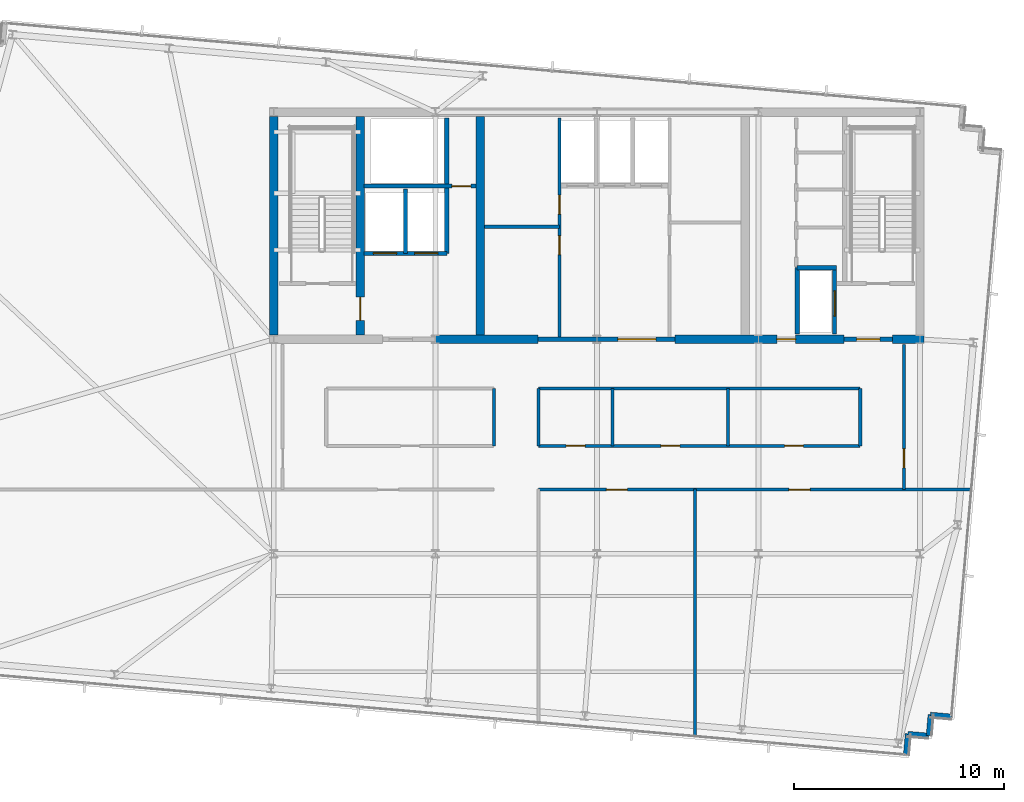
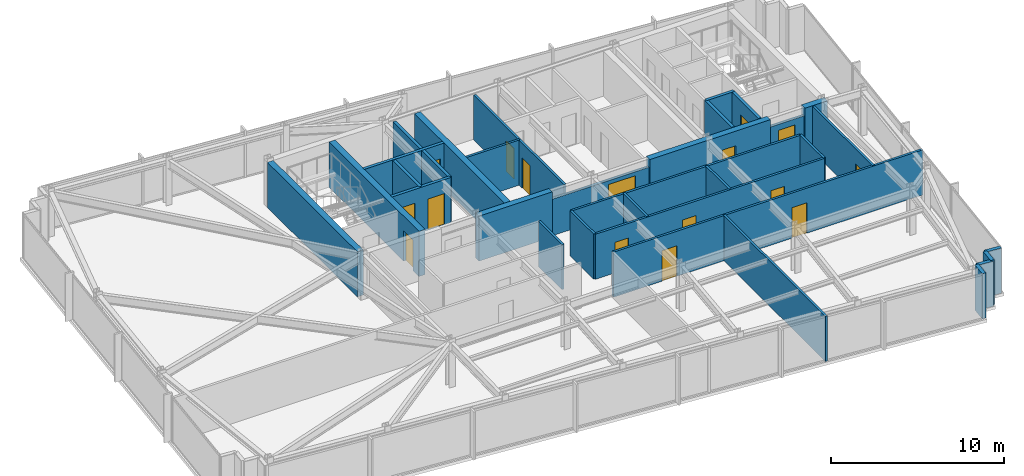
# One storey, part 27 of 32: 31 walls, 16 doors, 16 openings.
"""IFC4 building model written with IfcOpenShell, lengths in metres."""

from ifc_helpers import new_model, si_unit, direction, frame, frame_2d, origin, place, context, subcontext, project, spatial, rectangle, extrude, material, layer, layer_set, type_object, element, fill, save


model = new_model("IFC4")

# Units and contexts
model_context = context("Model", 3, precision=1e-05, world=origin(), true_north=direction((0.0, 1.0)))
body_context = subcontext(model_context, "Body", "Model", "MODEL_VIEW")
ifc_project = project(units=[si_unit("LENGTHUNIT", "METRE"), si_unit("AREAUNIT", "SQUARE_METRE"), si_unit("VOLUMEUNIT", "CUBIC_METRE"), si_unit("PLANEANGLEUNIT", "RADIAN"), si_unit("MASSUNIT", "GRAM", prefix="KILO")], contexts=[model_context])

# Site, building, storey
site_placement = place(None, origin())
site = spatial("IfcSite", under=ifc_project, at=site_placement, CompositionType="ELEMENT")
building_placement = place(site_placement, origin())
building = spatial("IfcBuilding", under=site, at=building_placement, Name="Yelkora Congress Tower", CompositionType="ELEMENT")
storey_placement = place(building_placement, frame((0.0, 0.0, 269.300048828125)))
storey = spatial("IfcBuildingStorey", under=building, at=storey_placement, Name="L75", CompositionType="ELEMENT", Elevation=269.300048828125)

# Wall
ifc_material_1 = material(Name="Concrete C50/60", Category="concrete")
ifc_layer_1 = layer(ifc_material_1, 0.39990234375)
ifc_layer_set_1 = layer_set([ifc_layer_1], Name="Concrete C50/60")
wall_type_1 = type_object("IfcWallType", Name="WALL-CORE-INT-400", PredefinedType="SHEAR", material=ifc_layer_set_1)
wall_1_placement = place(storey_placement, frame((30.719970703125, 35.39990234375, 0.0), z_axis=(0.0, 0.0, 1.0), x_axis=(1.0, 0.0, 0.0)))
element("IfcWall", 1, at=wall_1_placement, inside=storey, type_object=wall_type_1, Name="L75 Rear Core South-Center Shear Pier", PredefinedType="SHEAR", context=body_context, shape_type="SweptSolid", body=[
    extrude(rectangle(XDim=4.880126953125, YDim=0.39990234375, at=frame_2d((2.43994140625, 0.0))), origin(), (0.0, 0.0, 1.0), 3.179931640625),
])

# Wall, opening, door
wall_2_placement = place(storey_placement, frame((42.10009765625, 35.39990234375, 0.0), z_axis=(0.0, 0.0, 1.0), x_axis=(1.0, 0.0, 0.0)))
wall_2 = element("IfcWall", 2, at=wall_2_placement, inside=storey, type_object=wall_type_1, Name="L75 Rear Core South-East Shear Wall A", PredefinedType="SHEAR", context=body_context, shape_type="SweptSolid", body=[
    extrude(rectangle(XDim=8.0498046875, YDim=0.39990234375, at=frame_2d((4.02490234375, 0.0))), origin(), (0.0, 0.0, 1.0), 3.179931640625),
])
opening_1_placement = place(wall_2_placement, frame((4.85009765625, 0.0, 0.0)))
opening_1 = element("IfcOpeningElement", 3, at=opening_1_placement, cuts=wall_2, Name="Opening DR-090F6", PredefinedType="OPENING", context=body_context, shape_type="SweptSolid", body=[
    extrude(rectangle(XDim=0.89990234375, YDim=2.14990234375, at=frame_2d((0.449951171875, 1.074951171875))), frame((0.0, 0.2099609375, 0.0), z_axis=(0.0, -1.0, 0.0), x_axis=(1.0, 0.0, 0.0)), (0.0, 0.0, 1.0), 0.419921875),
])
ifc_material_2 = material(Name="Painted steel riser fire door leaf", Category="steel")
door_type_1 = type_object("IfcDoorType", Name="DOOR-FD60-900", OperationType="NOTDEFINED", PredefinedType="DOOR", material=ifc_material_2)
door_1_placement = place(opening_1_placement, origin())
door_1 = element("IfcDoor", 4, at=door_1_placement, inside=storey, type_object=door_type_1, Name="L75 Core Washroom Lobby Door", OperationType="SINGLE_SWING_RIGHT", OverallHeight=2.14990234375, OverallWidth=0.89990234375, PredefinedType="DOOR", context=body_context, shape_type="SweptSolid", body=[
    extrude(rectangle(XDim=0.89990234375, YDim=2.14990234375, at=frame_2d((0.449951171875, 1.074951171875))), frame((0.0, 0.02490234375, 0.0), z_axis=(0.0, -1.0, 0.0), x_axis=(1.0, 0.0, 0.0)), (0.0, 0.0, 1.0), 0.050048828125),
])
fill(opening_1, door_1)

# Walls
wall_3_placement = place(storey_placement, frame((52.449951171875, 35.39990234375, 0.0), z_axis=(0.0, 0.0, 1.0), x_axis=(1.0, 0.0, 0.0)))
element("IfcWall", 5, at=wall_3_placement, inside=storey, type_object=wall_type_1, Name="L75 Rear Core South-East Shear Wall B", PredefinedType="SHEAR", context=body_context, shape_type="SweptSolid", body=[
    extrude(rectangle(XDim=1.510009765625, YDim=0.39990234375, at=frame_2d((0.7548828125, 0.0))), origin(), (0.0, 0.0, 1.0), 3.179931640625),
])
wall_4_placement = place(storey_placement, frame((23.0400390625, 35.60009765625, 0.0), z_axis=(0.0, 0.0, 1.0), x_axis=(0.0, 1.0, 0.0)))
element("IfcWall", 6, at=wall_4_placement, inside=storey, type_object=wall_type_1, Name="L75 Rear Core Cross Shear Wall W", PredefinedType="SHEAR", context=body_context, shape_type="SweptSolid", body=[
    extrude(rectangle(XDim=10.39990234375, YDim=0.39990234375, at=frame_2d((5.199951171875, 0.0))), origin(), (0.0, 0.0, 1.0), 3.179931640625),
])

# Wall, opening, door
wall_5_placement = place(storey_placement, frame((27.14990234375, 35.60009765625, 0.0), z_axis=(0.0, 0.0, 1.0), x_axis=(0.0, 1.0, 0.0)))
wall_5 = element("IfcWall", 7, at=wall_5_placement, inside=storey, type_object=wall_type_1, Name="L75 Rear Core Cross Shear Wall C1", PredefinedType="SHEAR", context=body_context, shape_type="SweptSolid", body=[
    extrude(rectangle(XDim=10.39990234375, YDim=0.39990234375, at=frame_2d((5.199951171875, 0.0))), origin(), (0.0, 0.0, 1.0), 3.179931640625),
])
opening_2_placement = place(wall_5_placement, frame((0.699951171875, 0.0, 0.0)))
opening_2 = element("IfcOpeningElement", 8, at=opening_2_placement, cuts=wall_5, Name="Opening DR-110F9", PredefinedType="OPENING", context=body_context, shape_type="SweptSolid", body=[
    extrude(rectangle(XDim=1.10009765625, YDim=2.14990234375, at=frame_2d((0.550048828125, 1.074951171875))), frame((0.0, 0.2099609375, 0.0), z_axis=(0.0, -1.0, 0.0), x_axis=(1.0, 0.0, 0.0)), (0.0, 0.0, 1.0), 0.419921875),
])
ifc_material_3 = material(Name="Galvanised steel fire door leaf", Category="steel")
door_type_2 = type_object("IfcDoorType", Name="DOOR-FD90-1100", OperationType="NOTDEFINED", PredefinedType="DOOR", material=ifc_material_3)
door_2_placement = place(opening_2_placement, origin())
door_2 = element("IfcDoor", 9, at=door_2_placement, inside=storey, type_object=door_type_2, Name="L75 Firefighting Stair Transfer Door", OperationType="SINGLE_SWING_LEFT", OverallHeight=2.14990234375, OverallWidth=1.10009765625, PredefinedType="DOOR", context=body_context, shape_type="SweptSolid", body=[
    extrude(rectangle(XDim=1.10009765625, YDim=2.14990234375, at=frame_2d((0.550048828125, 1.074951171875))), frame((0.0, 0.02490234375, 0.0), z_axis=(0.0, -1.0, 0.0), x_axis=(1.0, 0.0, 0.0)), (0.0, 0.0, 1.0), 0.050048828125),
])
fill(opening_2, door_2)

# Walls
wall_6_placement = place(storey_placement, frame((32.85009765625, 35.60009765625, 0.0), z_axis=(0.0, 0.0, 1.0), x_axis=(0.0, 1.0, 0.0)))
element("IfcWall", 10, at=wall_6_placement, inside=storey, type_object=wall_type_1, Name="L75 Rear Core Cross Shear Wall C2", PredefinedType="SHEAR", context=body_context, shape_type="SweptSolid", body=[
    extrude(rectangle(XDim=10.39990234375, YDim=0.39990234375, at=frame_2d((5.199951171875, 0.0))), origin(), (0.0, 0.0, 1.0), 3.179931640625),
])
ifc_material_4 = material(Name="Concrete C40/50", Category="concrete")
ifc_layer_2 = layer(ifc_material_4, 0.239990234375)
ifc_layer_set_2 = layer_set([ifc_layer_2], Name="Concrete C40/50")
wall_type_2 = type_object("IfcWallType", Name="WALL-EXT-LIMESTONE-240", PredefinedType="SOLIDWALL", material=ifc_layer_set_2)
for number, where, z_axis, x_axis, name in (
    (11, (55.2578125, 17.458740234375, 0.0), (0.0, 0.0, 1.0), (-0.996193717496, 0.087166950281, 0.0), "L75 Serrated Corner Limestone Pier 16"),
    (12, (54.26171875, 17.5458984375, 0.0), (0.0, 0.0, 1.0), (-0.087166950281, -0.996193717496, 0.0), "L75 Serrated Corner Limestone Pier 17"),
):
    element("IfcWall", number, at=place(storey_placement, frame(where, z_axis=z_axis, x_axis=x_axis)), inside=storey, type_object=wall_type_2, Name=name, PredefinedType="SOLIDWALL", context=body_context, shape_type="SweptSolid", body=[
        extrude(rectangle(XDim=1.0, YDim=0.239990234375, at=frame_2d((0.5, 0.0))), origin(), (0.0, 0.0, 1.0), 3.179931640625),
    ])
for number, where, z_axis, x_axis, name in (
    (13, (54.174560546875, 16.5498046875, 0.0), (0.0, 0.0, 1.0), (-0.996195572005, 0.087145753297, 0.0), "L75 Serrated Corner Limestone Pier 18"),
    (14, (53.17822265625, 16.636962890625, 0.0), (0.0, 0.0, 1.0), (-0.087145753297, -0.996195572005, 0.0), "L75 Serrated Corner Limestone Pier 19"),
):
    element("IfcWall", number, at=place(storey_placement, frame(where, z_axis=z_axis, x_axis=x_axis)), inside=storey, type_object=wall_type_2, Name=name, PredefinedType="SOLIDWALL", context=body_context, shape_type="SweptSolid", body=[
        extrude(rectangle(XDim=1.000244140625, YDim=0.239990234375, at=frame_2d((0.5, 0.0))), origin(), (0.0, 0.0, 1.0), 3.179931640625),
    ])
ifc_material_5 = material(Name="Acoustic metal-stud gypsum partition", Category="gypsum")
ifc_layer_3 = layer(ifc_material_5, 0.14990234375)
ifc_layer_set_3 = layer_set([ifc_layer_3], Name="Acoustic metal-stud gypsum partition")
wall_type_3 = type_object("IfcWallType", Name="WALL-INT-150-NR", PredefinedType="PARTITIONING", material=ifc_layer_set_3)
wall_7_placement = place(storey_placement, frame((43.06201171875, 16.4580078125, 0.0), z_axis=(0.0, 0.0, 1.0), x_axis=(0.0, 1.0, 0.0)))
element("IfcWall", 15, at=wall_7_placement, inside=storey, type_object=wall_type_3, Name="L75 Partition Wall 25", PredefinedType="PARTITIONING", context=body_context, shape_type="SweptSolid", body=[
    extrude(rectangle(XDim=11.81201171875, YDim=0.14990234375, at=frame_2d((5.906005859375, 0.0))), origin(), (0.0, 0.0, 1.0), 3.179931640625),
])

# Wall, openings, doors
wall_8_placement = place(storey_placement, frame((35.6201171875, 28.25, 0.0), z_axis=(0.0, 0.0, 1.0), x_axis=(1.0, 0.0, 0.0)))
wall_8 = element("IfcWall", 16, at=wall_8_placement, inside=storey, type_object=wall_type_3, Name="L75 South Spine Wall East", PredefinedType="PARTITIONING", context=body_context, shape_type="SweptSolid", body=[
    extrude(rectangle(XDim=20.64208984375, YDim=0.14990234375, at=frame_2d((10.321044921875, 0.0))), origin(), (0.0, 0.0, 1.0), 3.179931640625),
])
opening_3_placement = place(wall_8_placement, frame((3.22607421875, 0.0, 0.0)))
opening_3 = element("IfcOpeningElement", 17, at=opening_3_placement, cuts=wall_8, Name="Opening DR-100N", PredefinedType="OPENING", context=body_context, shape_type="SweptSolid", body=[
    extrude(rectangle(XDim=1.0, YDim=2.14990234375, at=frame_2d((0.5, 1.074951171875))), frame((0.0, 0.0849609375, 0.0), z_axis=(0.0, -1.0, 0.0), x_axis=(1.0, 0.0, 0.0)), (0.0, 0.0, 1.0), 0.169921875),
])
opening_4_placement = place(wall_8_placement, frame((11.910888671875, 0.0, 0.0)))
opening_4 = element("IfcOpeningElement", 18, at=opening_4_placement, cuts=wall_8, Name="Opening DR-100N", PredefinedType="OPENING", context=body_context, shape_type="SweptSolid", body=[
    extrude(rectangle(XDim=1.0, YDim=2.14990234375, at=frame_2d((0.5, 1.074951171875))), frame((0.0, 0.0849609375, 0.0), z_axis=(0.0, -1.0, 0.0), x_axis=(1.0, 0.0, 0.0)), (0.0, 0.0, 1.0), 0.169921875),
])
ifc_material_6 = material(Name="Solid-core Anatolian oak veneer door", Category="wood")
door_type_3 = type_object("IfcDoorType", Name="DOOR-INT-1000", OperationType="NOTDEFINED", PredefinedType="DOOR", material=ifc_material_6)
door_3_placement = place(opening_3_placement, origin())
door_3 = element("IfcDoor", 19, at=door_3_placement, inside=storey, type_object=door_type_3, Name="L75 Conference Hall Door", OperationType="SINGLE_SWING_RIGHT", OverallHeight=2.14990234375, OverallWidth=1.0, PredefinedType="DOOR", context=body_context, shape_type="SweptSolid", body=[
    extrude(rectangle(XDim=1.0, YDim=2.14990234375, at=frame_2d((0.5, 1.074951171875))), frame((0.0, 0.02490234375, 0.0), z_axis=(0.0, -1.0, 0.0), x_axis=(1.0, 0.0, 0.0)), (0.0, 0.0, 1.0), 0.050048828125),
])
fill(opening_3, door_3)
door_4_placement = place(opening_4_placement, origin())
door_4 = element("IfcDoor", 20, at=door_4_placement, inside=storey, type_object=door_type_3, Name="L75 Living & Reading Lounge Door", OperationType="SINGLE_SWING_LEFT", OverallHeight=2.14990234375, OverallWidth=1.0, PredefinedType="DOOR", context=body_context, shape_type="SweptSolid", body=[
    extrude(rectangle(XDim=1.0, YDim=2.14990234375, at=frame_2d((0.5, 1.074951171875))), frame((0.0, 0.02490234375, 0.0), z_axis=(0.0, -1.0, 0.0), x_axis=(1.0, 0.0, 0.0)), (0.0, 0.0, 1.0), 0.050048828125),
])
fill(opening_4, door_4)

# Wall, opening, door
wall_9_placement = place(storey_placement, frame((53.0, 28.25, 0.0), z_axis=(0.0, 0.0, 1.0), x_axis=(0.0, 1.0, 0.0)))
wall_9 = element("IfcWall", 21, at=wall_9_placement, inside=storey, type_object=wall_type_3, Name="L75 Partition Wall 29", PredefinedType="PARTITIONING", context=body_context, shape_type="SweptSolid", body=[
    extrude(rectangle(XDim=6.889892578125, YDim=0.14990234375, at=frame_2d((3.44482421875, 0.0))), origin(), (0.0, 0.0, 1.0), 3.179931640625),
])
opening_5_placement = place(wall_9_placement, frame((1.030029296875, 0.0, 0.0)))
opening_5 = element("IfcOpeningElement", 22, at=opening_5_placement, cuts=wall_9, Name="Opening DR-090N", PredefinedType="OPENING", context=body_context, shape_type="SweptSolid", body=[
    extrude(rectangle(XDim=0.89990234375, YDim=2.14990234375, at=frame_2d((0.449951171875, 1.074951171875))), frame((0.0, 0.0849609375, 0.0), z_axis=(0.0, -1.0, 0.0), x_axis=(1.0, 0.0, 0.0)), (0.0, 0.0, 1.0), 0.169921875),
])
ifc_material_7 = material(Name="Moisture-resistant laminate door leaf", Category="wood")
door_type_4 = type_object("IfcDoorType", Name="DOOR-INT-900", OperationType="NOTDEFINED", PredefinedType="DOOR", material=ifc_material_7)
door_5_placement = place(opening_5_placement, origin())
door_5 = element("IfcDoor", 23, at=door_5_placement, inside=storey, type_object=door_type_4, Name="L75 E Wing Door", OperationType="SINGLE_SWING_LEFT", OverallHeight=2.14990234375, OverallWidth=0.89990234375, PredefinedType="DOOR", context=body_context, shape_type="SweptSolid", body=[
    extrude(rectangle(XDim=0.89990234375, YDim=2.14990234375, at=frame_2d((0.449951171875, 1.074951171875))), frame((0.0, 0.02490234375, 0.0), z_axis=(0.0, -1.0, 0.0), x_axis=(1.0, 0.0, 0.0)), (0.0, 0.0, 1.0), 0.050048828125),
])
fill(opening_5, door_5)

# Walls
for number, where, z_axis, x_axis, name in (
    (24, (50.919921875, 30.330078125, 0.0), (0.0, 0.0, 1.0), (0.0, 1.0, 0.0), "L75 Partition Wall 31"),
    (25, (33.5, 30.330078125, 0.0), (0.0, 0.0, 1.0), (0.0, 1.0, 0.0), "L75 Partition Wall 32"),
    (26, (35.6201171875, 30.330078125, 0.0), (0.0, 0.0, 1.0), (0.0, 1.0, 0.0), "L75 Partition Wall 33"),
):
    element("IfcWall", number, at=place(storey_placement, frame(where, z_axis=z_axis, x_axis=x_axis)), inside=storey, type_object=wall_type_3, Name=name, PredefinedType="PARTITIONING", context=body_context, shape_type="SweptSolid", body=[
        extrude(rectangle(XDim=2.719970703125, YDim=0.14990234375, at=frame_2d((1.35986328125, 0.0))), origin(), (0.0, 0.0, 1.0), 3.179931640625),
    ])
wall_10_placement = place(storey_placement, frame((35.6201171875, 33.050048828125, 0.0), z_axis=(0.0, 0.0, 1.0), x_axis=(1.0, 0.0, 0.0)))
element("IfcWall", 27, at=wall_10_placement, inside=storey, type_object=wall_type_3, Name="L75 Partition Wall 35", PredefinedType="PARTITIONING", context=body_context, shape_type="SweptSolid", body=[
    extrude(rectangle(XDim=15.2998046875, YDim=0.14990234375, at=frame_2d((7.64990234375, 0.0))), origin(), (0.0, 0.0, 1.0), 3.179931640625),
])
for number, where, z_axis, x_axis, name in (
    (28, (39.14208984375, 30.330078125, 0.0), (0.0, 0.0, 1.0), (0.0, 1.0, 0.0), "L75 Partition Wall 37"),
    (29, (44.638916015625, 30.330078125, 0.0), (0.0, 0.0, 1.0), (0.0, 1.0, 0.0), "L75 Partition Wall 38"),
):
    element("IfcWall", number, at=place(storey_placement, frame(where, z_axis=z_axis, x_axis=x_axis)), inside=storey, type_object=wall_type_3, Name=name, PredefinedType="PARTITIONING", context=body_context, shape_type="SweptSolid", body=[
        extrude(rectangle(XDim=2.719970703125, YDim=0.14990234375, at=frame_2d((1.35986328125, 0.0))), origin(), (0.0, 0.0, 1.0), 3.179931640625),
    ])

# Wall, openings, doors
wall_11_placement = place(storey_placement, frame((35.6298828125, 30.330078125, 0.0), z_axis=(0.0, 0.0, 1.0), x_axis=(1.0, 0.0, 0.0)))
wall_11 = element("IfcWall", 30, at=wall_11_placement, inside=storey, type_object=wall_type_3, Name="L75 Partition Wall 39", PredefinedType="PARTITIONING", context=body_context, shape_type="SweptSolid", body=[
    extrude(rectangle(XDim=15.27001953125, YDim=0.14990234375, at=frame_2d((7.635009765625, 0.0))), origin(), (0.0, 0.0, 1.0), 3.179931640625),
])
opening_6_placement = place(wall_11_placement, frame((1.305908203125, 0.0, 0.0)))
opening_6 = element("IfcOpeningElement", 31, at=opening_6_placement, cuts=wall_11, Name="Opening DR-090N", PredefinedType="OPENING", context=body_context, shape_type="SweptSolid", body=[
    extrude(rectangle(XDim=0.89990234375, YDim=2.14990234375, at=frame_2d((0.449951171875, 1.074951171875))), frame((0.0, 0.0849609375, 0.0), z_axis=(0.0, -1.0, 0.0), x_axis=(1.0, 0.0, 0.0)), (0.0, 0.0, 1.0), 0.169921875),
])
opening_7_placement = place(wall_11_placement, frame((5.810546875, 0.0, 0.0)))
opening_7 = element("IfcOpeningElement", 32, at=opening_7_placement, cuts=wall_11, Name="Opening DR-090N", PredefinedType="OPENING", context=body_context, shape_type="SweptSolid", body=[
    extrude(rectangle(XDim=0.89990234375, YDim=2.14990234375, at=frame_2d((0.449951171875, 1.074951171875))), frame((0.0, 0.0849609375, 0.0), z_axis=(0.0, -1.0, 0.0), x_axis=(1.0, 0.0, 0.0)), (0.0, 0.0, 1.0), 0.169921875),
])
opening_8_placement = place(wall_11_placement, frame((11.689453125, 0.0, 0.0)))
opening_8 = element("IfcOpeningElement", 33, at=opening_8_placement, cuts=wall_11, Name="Opening DR-090N", PredefinedType="OPENING", context=body_context, shape_type="SweptSolid", body=[
    extrude(rectangle(XDim=0.89990234375, YDim=2.14990234375, at=frame_2d((0.449951171875, 1.074951171875))), frame((0.0, 0.0849609375, 0.0), z_axis=(0.0, -1.0, 0.0), x_axis=(1.0, 0.0, 0.0)), (0.0, 0.0, 1.0), 0.169921875),
])
door_6_placement = place(opening_6_placement, origin())
door_6 = element("IfcDoor", 34, at=door_6_placement, inside=storey, type_object=door_type_4, Name="L75 Huddle Seminar Room Door", OperationType="SINGLE_SWING_LEFT", OverallHeight=2.14990234375, OverallWidth=0.89990234375, PredefinedType="DOOR", context=body_context, shape_type="SweptSolid", body=[
    extrude(rectangle(XDim=0.89990234375, YDim=2.14990234375, at=frame_2d((0.449951171875, 1.074951171875))), frame((0.0, 0.02490234375, 0.0), z_axis=(0.0, -1.0, 0.0), x_axis=(1.0, 0.0, 0.0)), (0.0, 0.0, 1.0), 0.050048828125),
])
fill(opening_6, door_6)
door_7_placement = place(opening_7_placement, origin())
door_7 = element("IfcDoor", 35, at=door_7_placement, inside=storey, type_object=door_type_4, Name="L75 Breakout Training Room Door", OperationType="SINGLE_SWING_RIGHT", OverallHeight=2.14990234375, OverallWidth=0.89990234375, PredefinedType="DOOR", context=body_context, shape_type="SweptSolid", body=[
    extrude(rectangle(XDim=0.89990234375, YDim=2.14990234375, at=frame_2d((0.449951171875, 1.074951171875))), frame((0.0, 0.02490234375, 0.0), z_axis=(0.0, -1.0, 0.0), x_axis=(1.0, 0.0, 0.0)), (0.0, 0.0, 1.0), 0.050048828125),
])
fill(opening_7, door_7)
door_8_placement = place(opening_8_placement, origin())
door_8 = element("IfcDoor", 36, at=door_8_placement, inside=storey, type_object=door_type_4, Name="L75 Executive Boardroom Door", OperationType="SINGLE_SWING_LEFT", OverallHeight=2.14990234375, OverallWidth=0.89990234375, PredefinedType="DOOR", context=body_context, shape_type="SweptSolid", body=[
    extrude(rectangle(XDim=0.89990234375, YDim=2.14990234375, at=frame_2d((0.449951171875, 1.074951171875))), frame((0.0, 0.02490234375, 0.0), z_axis=(0.0, -1.0, 0.0), x_axis=(1.0, 0.0, 0.0)), (0.0, 0.0, 1.0), 0.050048828125),
])
fill(opening_8, door_8)

# Wall
ifc_material_8 = material(Name="Twin-stud fire-rated gypsum partition", Category="gypsum")
ifc_layer_4 = layer(ifc_material_8, 0.14990234375)
ifc_layer_set_4 = layer_set([ifc_layer_4], Name="Twin-stud fire-rated gypsum partition")
wall_type_4 = type_object("IfcWallType", Name="WALL-INT-150-R60", PredefinedType="PARTITIONING", material=ifc_layer_set_4)
wall_12_placement = place(storey_placement, frame((33.050048828125, 40.75, 0.0), z_axis=(0.0, 0.0, 1.0), x_axis=(1.0, 0.0, 0.0)))
element("IfcWall", 37, at=wall_12_placement, inside=storey, type_object=wall_type_4, Name="L75 Partition Wall 11", PredefinedType="PARTITIONING", context=body_context, shape_type="SweptSolid", body=[
    extrude(rectangle(XDim=3.570068359375, YDim=0.14990234375, at=frame_2d((1.78515625, 0.0))), origin(), (0.0, 0.0, 1.0), 3.179931640625),
])

# Wall, openings, doors
wall_13_placement = place(storey_placement, frame((36.6201171875, 35.5, 0.0), z_axis=(0.0, 0.0, 1.0), x_axis=(0.0, 1.0, 0.0)))
wall_13 = element("IfcWall", 38, at=wall_13_placement, inside=storey, type_object=wall_type_4, Name="L75 Partition Wall 12", PredefinedType="PARTITIONING", context=body_context, shape_type="SweptSolid", body=[
    extrude(rectangle(XDim=10.419921875, YDim=0.14990234375, at=frame_2d((5.2099609375, 0.0))), origin(), (0.0, 0.0, 1.0), 3.179931640625),
])
opening_9_placement = place(wall_13_placement, frame((3.919921875, 0.0, 0.0)))
opening_9 = element("IfcOpeningElement", 39, at=opening_9_placement, cuts=wall_13, Name="Opening DR-090F6", PredefinedType="OPENING", context=body_context, shape_type="SweptSolid", body=[
    extrude(rectangle(XDim=0.89990234375, YDim=2.14990234375, at=frame_2d((0.449951171875, 1.074951171875))), frame((0.0, 0.0849609375, 0.0), z_axis=(0.0, -1.0, 0.0), x_axis=(1.0, 0.0, 0.0)), (0.0, 0.0, 1.0), 0.169921875),
])
opening_10_placement = place(wall_13_placement, frame((5.85009765625, 0.0, 0.0)))
opening_10 = element("IfcOpeningElement", 40, at=opening_10_placement, cuts=wall_13, Name="Opening DR-090F6", PredefinedType="OPENING", context=body_context, shape_type="SweptSolid", body=[
    extrude(rectangle(XDim=0.89990234375, YDim=2.14990234375, at=frame_2d((0.449951171875, 1.074951171875))), frame((0.0, 0.0849609375, 0.0), z_axis=(0.0, -1.0, 0.0), x_axis=(1.0, 0.0, 0.0)), (0.0, 0.0, 1.0), 0.169921875),
])
door_9_placement = place(opening_9_placement, origin())
door_9 = element("IfcDoor", 41, at=door_9_placement, inside=storey, type_object=door_type_1, Name="L75 Telecom Store Door", OperationType="SINGLE_SWING_RIGHT", OverallHeight=2.14990234375, OverallWidth=0.89990234375, PredefinedType="DOOR", context=body_context, shape_type="SweptSolid", body=[
    extrude(rectangle(XDim=0.89990234375, YDim=2.14990234375, at=frame_2d((0.449951171875, 1.074951171875))), frame((0.0, 0.02490234375, 0.0), z_axis=(0.0, -1.0, 0.0), x_axis=(1.0, 0.0, 0.0)), (0.0, 0.0, 1.0), 0.050048828125),
])
fill(opening_9, door_9)
door_10_placement = place(opening_10_placement, origin())
door_10 = element("IfcDoor", 42, at=door_10_placement, inside=storey, type_object=door_type_1, Name="L75 Archive Store Door", OperationType="SINGLE_SWING_LEFT", OverallHeight=2.14990234375, OverallWidth=0.89990234375, PredefinedType="DOOR", context=body_context, shape_type="SweptSolid", body=[
    extrude(rectangle(XDim=0.89990234375, YDim=2.14990234375, at=frame_2d((0.449951171875, 1.074951171875))), frame((0.0, 0.02490234375, 0.0), z_axis=(0.0, -1.0, 0.0), x_axis=(1.0, 0.0, 0.0)), (0.0, 0.0, 1.0), 0.050048828125),
])
fill(opening_10, door_10)

ifc_material_9 = material(Name="Autoclaved aerated concrete blockwork", Category="masonry")
ifc_layer_5 = layer(ifc_material_9, 0.199951171875)
ifc_layer_set_5 = layer_set([ifc_layer_5], Name="Autoclaved aerated concrete blockwork")
wall_type_5 = type_object("IfcWallType", Name="WALL-INT-200-R120", PredefinedType="PARTITIONING", material=ifc_layer_set_5)
wall_14_placement = place(storey_placement, frame((27.320068359375, 39.47998046875, 0.0), z_axis=(0.0, 0.0, 1.0), x_axis=(1.0, 0.0, 0.0)))
wall_14 = element("IfcWall", 43, at=wall_14_placement, inside=storey, type_object=wall_type_5, Name="L75 Firefighting Lift Front Wall", PredefinedType="PARTITIONING", context=body_context, shape_type="SweptSolid", body=[
    extrude(rectangle(XDim=3.93994140625, YDim=0.199951171875, at=frame_2d((1.969970703125, 0.0))), origin(), (0.0, 0.0, 1.0), 3.179931640625),
])
opening_11_placement = place(wall_14_placement, frame((0.449951171875, 0.0, 0.0)))
opening_11 = element("IfcOpeningElement", 44, at=opening_11_placement, cuts=wall_14, Name="Opening LD-FF11", PredefinedType="OPENING", context=body_context, shape_type="SweptSolid", body=[
    extrude(rectangle(XDim=1.10009765625, YDim=2.199951171875, at=frame_2d((0.550048828125, 1.10009765625))), frame((0.0, 0.10986328125, 0.0), z_axis=(0.0, -1.0, 0.0), x_axis=(1.0, 0.0, 0.0)), (0.0, 0.0, 1.0), 0.219970703125),
])
opening_12_placement = place(wall_14_placement, frame((2.409912109375, 0.0, 0.0)))
opening_12 = element("IfcOpeningElement", 45, at=opening_12_placement, cuts=wall_14, Name="Opening LD-FF11", PredefinedType="OPENING", context=body_context, shape_type="SweptSolid", body=[
    extrude(rectangle(XDim=1.10009765625, YDim=2.199951171875, at=frame_2d((0.550048828125, 1.10009765625))), frame((0.0, 0.10986328125, 0.0), z_axis=(0.0, -1.0, 0.0), x_axis=(1.0, 0.0, 0.0)), (0.0, 0.0, 1.0), 0.219970703125),
])
ifc_material_10 = material(Name="Brushed stainless steel 316L landing door", Category="steel")
door_type_5 = type_object("IfcDoorType", Name="DOOR-LIFT-FF-1100", OperationType="DOUBLE_DOOR_SLIDING", PredefinedType="DOOR", material=ifc_material_10)
door_11_placement = place(opening_11_placement, origin())
door_11 = element("IfcDoor", 46, at=door_11_placement, inside=storey, type_object=door_type_5, Name="Lift Landing Door LF-FF1 L75", OperationType="DOUBLE_DOOR_SLIDING", OverallHeight=2.199951171875, OverallWidth=1.10009765625, PredefinedType="DOOR", context=body_context, shape_type="SweptSolid", body=[
    extrude(rectangle(XDim=1.10009765625, YDim=2.199951171875, at=frame_2d((0.550048828125, 1.10009765625))), frame((0.0, 0.02490234375, 0.0), z_axis=(0.0, -1.0, 0.0), x_axis=(1.0, 0.0, 0.0)), (0.0, 0.0, 1.0), 0.050048828125),
])
fill(opening_11, door_11)
door_12_placement = place(opening_12_placement, origin())
door_12 = element("IfcDoor", 47, at=door_12_placement, inside=storey, type_object=door_type_5, Name="Lift Landing Door LF-FF2 L75", OperationType="DOUBLE_DOOR_SLIDING", OverallHeight=2.199951171875, OverallWidth=1.10009765625, PredefinedType="DOOR", context=body_context, shape_type="SweptSolid", body=[
    extrude(rectangle(XDim=1.10009765625, YDim=2.199951171875, at=frame_2d((0.550048828125, 1.10009765625))), frame((0.0, 0.02490234375, 0.0), z_axis=(0.0, -1.0, 0.0), x_axis=(1.0, 0.0, 0.0)), (0.0, 0.0, 1.0), 0.050048828125),
])
fill(opening_12, door_12)

# Walls
wall_15_placement = place(storey_placement, frame((29.300048828125, 39.47998046875, 0.0), z_axis=(0.0, 0.0, 1.0), x_axis=(0.0, 1.0, 0.0)))
element("IfcWall", 48, at=wall_15_placement, inside=storey, type_object=wall_type_5, Name="L75 Partition Wall 4", PredefinedType="PARTITIONING", context=body_context, shape_type="SweptSolid", body=[
    extrude(rectangle(XDim=3.070068359375, YDim=0.199951171875, at=frame_2d((1.53515625, 0.0))), origin(), (0.0, 0.0, 1.0), 3.179931640625),
])
wall_16_placement = place(storey_placement, frame((31.260009765625, 39.47998046875, 0.0), z_axis=(0.0, 0.0, 1.0), x_axis=(0.0, 1.0, 0.0)))
element("IfcWall", 49, at=wall_16_placement, inside=storey, type_object=wall_type_5, Name="L75 Partition Wall 5", PredefinedType="PARTITIONING", context=body_context, shape_type="SweptSolid", body=[
    extrude(rectangle(XDim=6.43994140625, YDim=0.199951171875, at=frame_2d((3.219970703125, 0.0))), origin(), (0.0, 0.0, 1.0), 3.179931640625),
])

# Wall, opening, door
wall_17_placement = place(storey_placement, frame((27.320068359375, 42.679931640625, 0.0), z_axis=(0.0, 0.0, 1.0), x_axis=(1.0, 0.0, 0.0)))
wall_17 = element("IfcWall", 50, at=wall_17_placement, inside=storey, type_object=wall_type_5, Name="L75 Smoke Riser South Wall", PredefinedType="PARTITIONING", context=body_context, shape_type="SweptSolid", body=[
    extrude(rectangle(XDim=5.329833984375, YDim=0.199951171875, at=frame_2d((2.6650390625, 0.0))), origin(), (0.0, 0.0, 1.0), 3.179931640625),
])
opening_13_placement = place(wall_17_placement, frame((4.179931640625, 0.0, 0.0)))
opening_13 = element("IfcOpeningElement", 51, at=opening_13_placement, cuts=wall_17, Name="Opening DR-090F6", PredefinedType="OPENING", context=body_context, shape_type="SweptSolid", body=[
    extrude(rectangle(XDim=0.89990234375, YDim=2.14990234375, at=frame_2d((0.449951171875, 1.074951171875))), frame((0.0, 0.10986328125, 0.0), z_axis=(0.0, -1.0, 0.0), x_axis=(1.0, 0.0, 0.0)), (0.0, 0.0, 1.0), 0.219970703125),
])
door_13_placement = place(opening_13_placement, origin())
door_13 = element("IfcDoor", 52, at=door_13_placement, inside=storey, type_object=door_type_1, Name="L75 Riser Access Door", OperationType="SINGLE_SWING_LEFT", OverallHeight=2.14990234375, OverallWidth=0.89990234375, PredefinedType="DOOR", context=body_context, shape_type="SweptSolid", body=[
    extrude(rectangle(XDim=0.89990234375, YDim=2.14990234375, at=frame_2d((0.449951171875, 1.074951171875))), frame((0.0, 0.02490234375, 0.0), z_axis=(0.0, -1.0, 0.0), x_axis=(1.0, 0.0, 0.0)), (0.0, 0.0, 1.0), 0.050048828125),
])
fill(opening_13, door_13)

wall_18_placement = place(storey_placement, frame((35.60009765625, 35.39990234375, 0.0), z_axis=(0.0, 0.0, 1.0), x_axis=(1.0, 0.0, 0.0)))
wall_18 = element("IfcWall", 53, at=wall_18_placement, inside=storey, type_object=wall_type_5, Name="L75 Main Lift Lobby South Portal Wall", PredefinedType="PARTITIONING", context=body_context, shape_type="SweptSolid", body=[
    extrude(rectangle(XDim=6.5, YDim=0.199951171875, at=frame_2d((3.25, 0.0))), origin(), (0.0, 0.0, 1.0), 2.574951171875),
])
opening_14_placement = place(wall_18_placement, frame((3.800048828125, 0.0, 0.0)))
opening_14 = element("IfcOpeningElement", 54, at=opening_14_placement, cuts=wall_18, Name="Opening DR-180D", PredefinedType="OPENING", context=body_context, shape_type="SweptSolid", body=[
    extrude(rectangle(XDim=1.800048828125, YDim=2.300048828125, at=frame_2d((0.89990234375, 1.14990234375))), frame((0.0, 0.10986328125, 0.0), z_axis=(0.0, -1.0, 0.0), x_axis=(1.0, 0.0, 0.0)), (0.0, 0.0, 1.0), 0.219970703125),
])
ifc_material_11 = material(Name="Acoustic double congress hall doors", Category="wood")
door_type_6 = type_object("IfcDoorType", Name="DOOR-DBL-1800", OperationType="DOUBLE_DOOR_SINGLE_SWING", PredefinedType="DOOR", material=ifc_material_11)
door_14_placement = place(opening_14_placement, origin())
door_14 = element("IfcDoor", 55, at=door_14_placement, inside=storey, type_object=door_type_6, Name="L75 Main Lift Lobby Portal Door", OperationType="DOUBLE_DOOR_SINGLE_SWING", OverallHeight=2.300048828125, OverallWidth=1.800048828125, PredefinedType="DOOR", context=body_context, shape_type="SweptSolid", body=[
    extrude(rectangle(XDim=1.800048828125, YDim=2.300048828125, at=frame_2d((0.89990234375, 1.14990234375))), frame((0.0, 0.02490234375, 0.0), z_axis=(0.0, -1.0, 0.0), x_axis=(1.0, 0.0, 0.0)), (0.0, 0.0, 1.0), 0.050048828125),
])
fill(opening_14, door_14)

wall_19_placement = place(storey_placement, frame((50.14990234375, 35.39990234375, 0.0), z_axis=(0.0, 0.0, 1.0), x_axis=(1.0, 0.0, 0.0)))
wall_19 = element("IfcWall", 56, at=wall_19_placement, inside=storey, type_object=wall_type_5, Name="L75 Partition Wall 16", PredefinedType="PARTITIONING", context=body_context, shape_type="SweptSolid", body=[
    extrude(rectangle(XDim=2.300048828125, YDim=0.199951171875, at=frame_2d((1.14990234375, 0.0))), origin(), (0.0, 0.0, 1.0), 2.574951171875),
])
opening_15_placement = place(wall_19_placement, frame((0.60009765625, 0.0, 0.0)))
opening_15 = element("IfcOpeningElement", 57, at=opening_15_placement, cuts=wall_19, Name="Opening DR-110F9", PredefinedType="OPENING", context=body_context, shape_type="SweptSolid", body=[
    extrude(rectangle(XDim=1.10009765625, YDim=2.14990234375, at=frame_2d((0.550048828125, 1.074951171875))), frame((0.0, 0.10986328125, 0.0), z_axis=(0.0, -1.0, 0.0), x_axis=(1.0, 0.0, 0.0)), (0.0, 0.0, 1.0), 0.219970703125),
])
door_15_placement = place(opening_15_placement, origin())
door_15 = element("IfcDoor", 58, at=door_15_placement, inside=storey, type_object=door_type_2, Name="L75 East Stair Lobby Door", OperationType="SINGLE_SWING_LEFT", OverallHeight=2.14990234375, OverallWidth=1.10009765625, PredefinedType="DOOR", context=body_context, shape_type="SweptSolid", body=[
    extrude(rectangle(XDim=1.10009765625, YDim=2.14990234375, at=frame_2d((0.550048828125, 1.074951171875))), frame((0.0, 0.02490234375, 0.0), z_axis=(0.0, -1.0, 0.0), x_axis=(1.0, 0.0, 0.0)), (0.0, 0.0, 1.0), 0.050048828125),
])
fill(opening_15, door_15)

wall_20_placement = place(storey_placement, frame((49.699951171875, 35.64990234375, 0.0), z_axis=(0.0, 0.0, 1.0), x_axis=(0.0, 1.0, 0.0)))
wall_20 = element("IfcWall", 59, at=wall_20_placement, inside=storey, type_object=wall_type_5, Name="L75 Partition Wall 17", PredefinedType="PARTITIONING", context=body_context, shape_type="SweptSolid", body=[
    extrude(rectangle(XDim=3.150146484375, YDim=0.199951171875, at=frame_2d((1.5751953125, 0.0))), origin(), (0.0, 0.0, 1.0), 3.179931640625),
])
opening_16_placement = place(wall_20_placement, frame((0.85009765625, 0.0, 0.0)))
opening_16 = element("IfcOpeningElement", 60, at=opening_16_placement, cuts=wall_20, Name="Opening LD-SV12", PredefinedType="OPENING", context=body_context, shape_type="SweptSolid", body=[
    extrude(rectangle(XDim=1.199951171875, YDim=2.199951171875, at=frame_2d((0.60009765625, 1.10009765625))), frame((0.0, 0.10986328125, 0.0), z_axis=(0.0, -1.0, 0.0), x_axis=(1.0, 0.0, 0.0)), (0.0, 0.0, 1.0), 0.219970703125),
])
ifc_material_12 = material(Name="Heavy-duty stainless steel landing door", Category="steel")
door_type_7 = type_object("IfcDoorType", Name="DOOR-LIFT-SRV-1200", OperationType="DOUBLE_DOOR_SLIDING", PredefinedType="DOOR", material=ifc_material_12)
door_16_placement = place(opening_16_placement, origin())
door_16 = element("IfcDoor", 61, at=door_16_placement, inside=storey, type_object=door_type_7, Name="Service Lift Landing Door LF-SV1 L75", OperationType="DOUBLE_DOOR_SLIDING", OverallHeight=2.199951171875, OverallWidth=1.199951171875, PredefinedType="DOOR", context=body_context, shape_type="SweptSolid", body=[
    extrude(rectangle(XDim=1.199951171875, YDim=2.199951171875, at=frame_2d((0.60009765625, 1.10009765625))), frame((0.0, 0.02490234375, 0.0), z_axis=(0.0, -1.0, 0.0), x_axis=(1.0, 0.0, 0.0)), (0.0, 0.0, 1.0), 0.050048828125),
])
fill(opening_16, door_16)

# Walls
wall_21_placement = place(storey_placement, frame((47.919921875, 35.64990234375, 0.0), z_axis=(0.0, 0.0, 1.0), x_axis=(0.0, 1.0, 0.0)))
element("IfcWall", 62, at=wall_21_placement, inside=storey, type_object=wall_type_5, Name="L75 Partition Wall 18", PredefinedType="PARTITIONING", context=body_context, shape_type="SweptSolid", body=[
    extrude(rectangle(XDim=3.150146484375, YDim=0.199951171875, at=frame_2d((1.5751953125, 0.0))), origin(), (0.0, 0.0, 1.0), 3.179931640625),
])
wall_22_placement = place(storey_placement, frame((47.919921875, 38.800048828125, 0.0), z_axis=(0.0, 0.0, 1.0), x_axis=(1.0, 0.0, 0.0)))
element("IfcWall", 63, at=wall_22_placement, inside=storey, type_object=wall_type_5, Name="L75 Partition Wall 19", PredefinedType="PARTITIONING", context=body_context, shape_type="SweptSolid", body=[
    extrude(rectangle(XDim=1.860107421875, YDim=0.199951171875, at=frame_2d((0.93017578125, 0.0))), origin(), (0.0, 0.0, 1.0), 3.179931640625),
])

save(model, "model.ifc")
